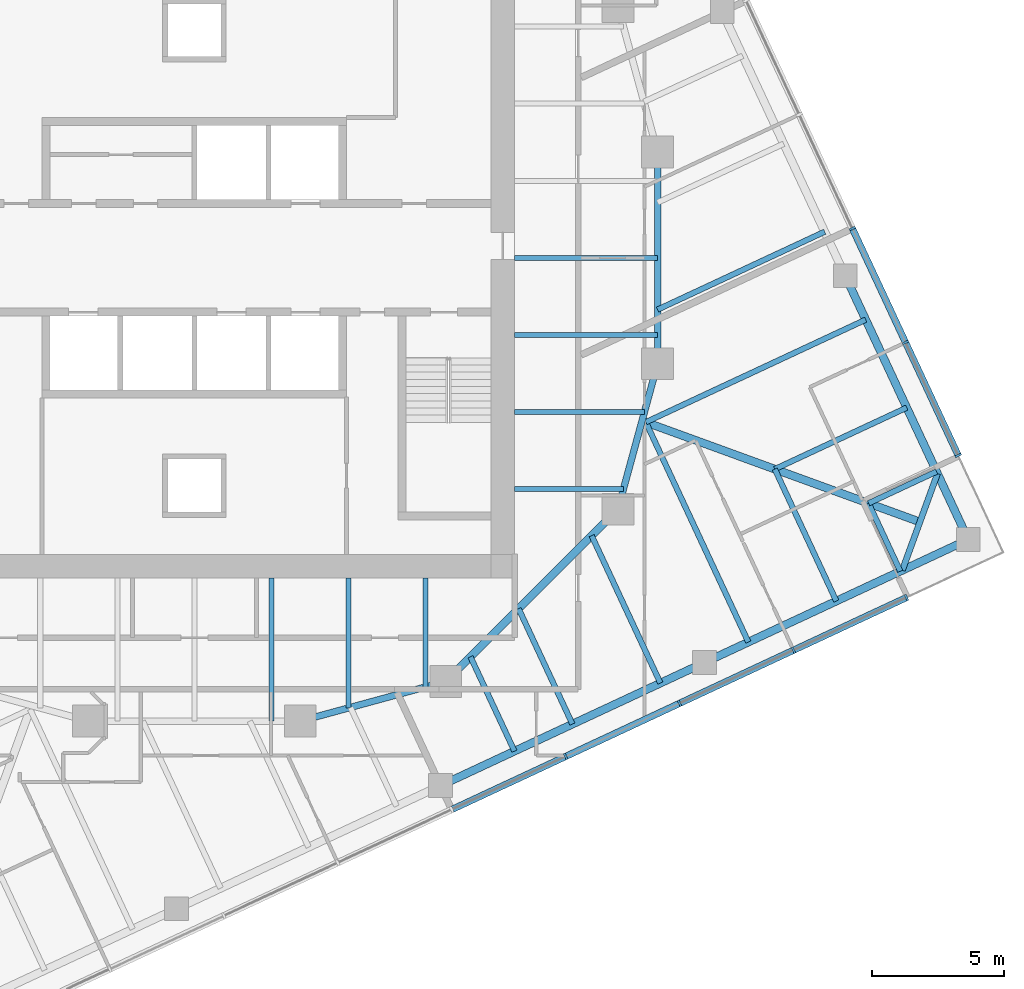
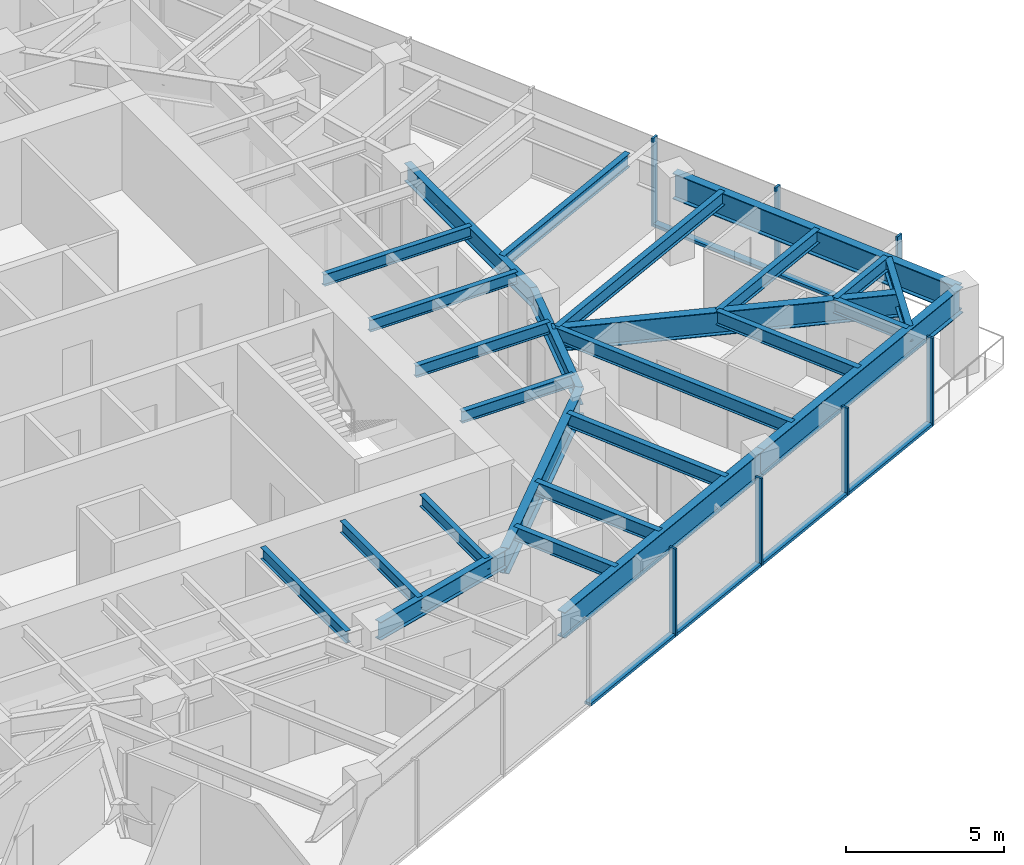
# One storey, part 3 of 13: 26 beams, 13 members, 2 elements without a shape of their own.
"""IFC4 building model written with IfcOpenShell, lengths in metres."""

from ifc_helpers import new_model, si_unit, direction, frame, origin, origin_2d, place, context, subcontext, project, spatial, rectangle, i_section, extrude, material, material_profile, profile_set, type_object, element, aggregate, save


model = new_model("IFC4")

# Units and contexts
model_context = context("Model", 3, precision=1e-05, world=origin(), true_north=direction((0.0, 1.0)))
body_context = subcontext(model_context, "Body", "Model", "MODEL_VIEW")
ifc_project = project(units=[si_unit("LENGTHUNIT", "METRE"), si_unit("AREAUNIT", "SQUARE_METRE"), si_unit("VOLUMEUNIT", "CUBIC_METRE"), si_unit("PLANEANGLEUNIT", "RADIAN"), si_unit("MASSUNIT", "GRAM", prefix="KILO")], contexts=[model_context])

# Site, building, storey
site_placement = place(None, origin())
site = spatial("IfcSite", under=ifc_project, at=site_placement, CompositionType="ELEMENT")
building_placement = place(site_placement, origin())
building = spatial("IfcBuilding", under=site, at=building_placement, Name="Torsade Residences", CompositionType="ELEMENT")
storey_placement = place(building_placement, frame((0.0, 0.0, 176.0)))
storey = spatial("IfcBuildingStorey", under=building, at=storey_placement, Name="L48", CompositionType="ELEMENT", Elevation=176.0)

# Beams
ifc_material_1 = material(Name="Steel grade 300", Category="steel")
ifc_material_profile_1 = material_profile(ifc_material_1, i_section(OverallWidth=0.300048828125, OverallDepth=0.89990234375, WebThickness=0.011962890625, FlangeThickness=0.02490234375, at=origin_2d()), Name="900WB175")
ifc_profile_set_1 = profile_set([ifc_material_profile_1], Name="Steel grade 300")
beam_type_1 = type_object("IfcBeamType", Name="CORNER GIRDER 900WB175", PredefinedType="BEAM", material=ifc_profile_set_1)
beam_1_placement = place(storey_placement, frame((67.4091796875, 20.02392578125, 2.800048828125), z_axis=(-0.93969447651, 0.342015044723, 0.0), x_axis=(-0.342015044723, -0.93969447651, 0.0)))
element("IfcBeam", 1, at=beam_1_placement, inside=storey, type_object=beam_type_1, Name="Corner girder 05 L49", PredefinedType="BEAM", context=body_context, shape_type="SweptSolid", body=[
    extrude(i_section(OverallWidth=0.300048828125, OverallDepth=0.89990234375, WebThickness=0.011962890625, FlangeThickness=0.02490234375, at=origin_2d()), origin(), (0.0, 0.0, 1.0), 11.170654296875),
])
ifc_material_2 = material(Name="Steel grade 300", Category="steel")
ifc_material_profile_2 = material_profile(ifc_material_2, i_section(OverallWidth=0.22802734375, OverallDepth=0.60205078125, WebThickness=0.010498046875, FlangeThickness=0.014892578125, FilletRadius=0.013916015625, at=origin_2d()), Name="610UB101")
ifc_profile_set_2 = profile_set([ifc_material_profile_2], Name="Steel grade 300")
beam_type_2 = type_object("IfcBeamType", Name="CORNER TRIMMER 610UB101", PredefinedType="BEAM", material=ifc_profile_set_2)
beam_2_placement = place(storey_placement, frame((68.07421875, 21.85107421875, 2.948974609375), z_axis=(-0.342005152204, -0.939698076972, 0.0), x_axis=(0.939698076972, -0.342005152204, 0.0)))
element("IfcBeam", 2, at=beam_2_placement, inside=storey, type_object=beam_type_2, Name="Corner trimmer 05 L49", PredefinedType="BEAM", context=body_context, shape_type="SweptSolid", body=[
    extrude(i_section(OverallWidth=0.22802734375, OverallDepth=0.60205078125, WebThickness=0.010498046875, FlangeThickness=0.014892578125, FilletRadius=0.013916015625, at=origin_2d()), origin(), (0.0, 0.0, 1.0), 3.88916015625),
])
ifc_material_3 = material(Name="Steel grade 300", Category="steel")
ifc_material_profile_3 = material_profile(ifc_material_3, i_section(OverallWidth=0.300048828125, OverallDepth=1.0, WebThickness=0.01611328125, FlangeThickness=0.028076171875, at=origin_2d()), Name="1000WB215")
ifc_profile_set_3 = profile_set([ifc_material_profile_3], Name="Steel grade 300")
beam_type_3 = type_object("IfcBeamType", Name="EDGE BEAM 1000WB215", PredefinedType="SPANDREL", material=ifc_profile_set_3)
for number, where, z_axis, x_axis, name in (
    (3, (49.297607421875, 10.061279296875, 2.75), (0.906313510001, 0.422605988587, 0.0), (-0.422605988587, 0.906313510001, 0.0), "Edge beam 03 L49"),
    (4, (59.26708984375, 14.7099609375, 2.75), (0.90630104482, 0.422632720171, 0.0), (-0.422632720171, 0.90630104482, 0.0), "Edge beam 04 L49"),
):
    element("IfcBeam", number, at=place(storey_placement, frame(where, z_axis=z_axis, x_axis=x_axis)), inside=storey, type_object=beam_type_3, Name=name, PredefinedType="SPANDREL", context=body_context, shape_type="SweptSolid", body=[
        extrude(i_section(OverallWidth=0.300048828125, OverallDepth=1.0, WebThickness=0.01611328125, FlangeThickness=0.028076171875, at=origin_2d()), origin(), (0.0, 0.0, 1.0), 11.0),
    ])
beam_3_placement = place(storey_placement, frame((69.236328125, 19.35888671875, 2.75), z_axis=(-0.422614489543, 0.906309546032, 0.0), x_axis=(-0.906309546032, -0.422614489543, 0.0)))
element("IfcBeam", 5, at=beam_3_placement, inside=storey, type_object=beam_type_3, Name="Edge beam 05 L49", PredefinedType="SPANDREL", context=body_context, shape_type="SweptSolid", body=[
    extrude(i_section(OverallWidth=0.300048828125, OverallDepth=1.0, WebThickness=0.01611328125, FlangeThickness=0.028076171875, at=origin_2d()), origin(), (0.0, 0.0, 1.0), 10.999755859375),
])
ifc_material_4 = material(Name="Steel grade 300", Category="steel")
ifc_material_profile_4 = material_profile(ifc_material_4, i_section(OverallWidth=0.18994140625, OverallDepth=0.4541015625, WebThickness=0.008544921875, FlangeThickness=0.0126953125, FilletRadius=0.011474609375, at=origin_2d()), Name="460UB67.1")
ifc_profile_set_4 = profile_set([ifc_material_profile_4], Name="Steel grade 300")
beam_type_4 = type_object("IfcBeamType", Name="INNER FLOOR BEAM 460UB67.1", PredefinedType="JOIST", material=ifc_profile_set_4)
beam_4_placement = place(storey_placement, frame((48.737548828125, 17.89990234375, 3.02294921875), z_axis=(0.0, -1.0, 0.0), x_axis=(1.0, 0.0, 0.0)))
element("IfcBeam", 6, at=beam_4_placement, inside=storey, type_object=beam_type_4, Name="Inner floor beam IS01 L49", PredefinedType="JOIST", context=body_context, shape_type="SweptSolid", body=[
    extrude(i_section(OverallWidth=0.18994140625, OverallDepth=0.4541015625, WebThickness=0.008544921875, FlangeThickness=0.0126953125, FilletRadius=0.011474609375, at=origin_2d()), origin(), (0.0, 0.0, 1.0), 4.10791015625),
])
beam_5_placement = place(storey_placement, frame((45.824951171875, 17.89990234375, 3.02294921875), z_axis=(0.0, -1.0, 0.0), x_axis=(1.0, 0.0, 0.0)))
element("IfcBeam", 7, at=beam_5_placement, inside=storey, type_object=beam_type_4, Name="Inner floor beam IS02 L49", PredefinedType="JOIST", context=body_context, shape_type="SweptSolid", body=[
    extrude(i_section(OverallWidth=0.18994140625, OverallDepth=0.4541015625, WebThickness=0.008544921875, FlangeThickness=0.0126953125, FilletRadius=0.011474609375, at=origin_2d()), origin(), (0.0, 0.0, 1.0), 4.902099609375),
])
beam_6_placement = place(storey_placement, frame((42.91259765625, 17.89990234375, 3.02294921875), z_axis=(0.0, -1.0, 0.0), x_axis=(1.0, 0.0, 0.0)))
element("IfcBeam", 8, at=beam_6_placement, inside=storey, type_object=beam_type_4, Name="Inner floor beam IS03 L49", PredefinedType="JOIST", context=body_context, shape_type="SweptSolid", body=[
    extrude(i_section(OverallWidth=0.18994140625, OverallDepth=0.4541015625, WebThickness=0.008544921875, FlangeThickness=0.0126953125, FilletRadius=0.011474609375, at=origin_2d()), origin(), (0.0, 0.0, 1.0), 5.39990234375),
])
beam_7_placement = place(storey_placement, frame((52.10009765625, 21.262451171875, 3.02294921875), z_axis=(1.0, 0.0, 0.0), x_axis=(0.0, 1.0, 0.0)))
element("IfcBeam", 9, at=beam_7_placement, inside=storey, type_object=beam_type_4, Name="Inner floor beam IE01 L49", PredefinedType="JOIST", context=body_context, shape_type="SweptSolid", body=[
    extrude(i_section(OverallWidth=0.18994140625, OverallDepth=0.4541015625, WebThickness=0.008544921875, FlangeThickness=0.0126953125, FilletRadius=0.011474609375, at=origin_2d()), origin(), (0.0, 0.0, 1.0), 4.10791015625),
])
beam_8_placement = place(storey_placement, frame((52.10009765625, 24.175048828125, 3.02294921875), z_axis=(1.0, 0.0, 0.0), x_axis=(0.0, 1.0, 0.0)))
element("IfcBeam", 10, at=beam_8_placement, inside=storey, type_object=beam_type_4, Name="Inner floor beam IE02 L49", PredefinedType="JOIST", context=body_context, shape_type="SweptSolid", body=[
    extrude(i_section(OverallWidth=0.18994140625, OverallDepth=0.4541015625, WebThickness=0.008544921875, FlangeThickness=0.0126953125, FilletRadius=0.011474609375, at=origin_2d()), origin(), (0.0, 0.0, 1.0), 4.902099609375),
])
for number, where, z_axis, x_axis, name in (
    (11, (52.10009765625, 27.08740234375, 3.02294921875), (1.0, 0.0, 0.0), (0.0, 1.0, 0.0), "Inner floor beam IE03 L49"),
    (12, (52.10009765625, 30.0, 3.02294921875), (1.0, 0.0, 0.0), (0.0, 1.0, 0.0), "Inner floor beam IE04 L49"),
):
    element("IfcBeam", number, at=place(storey_placement, frame(where, z_axis=z_axis, x_axis=x_axis)), inside=storey, type_object=beam_type_4, Name=name, PredefinedType="JOIST", context=body_context, shape_type="SweptSolid", body=[
        extrude(i_section(OverallWidth=0.18994140625, OverallDepth=0.4541015625, WebThickness=0.008544921875, FlangeThickness=0.0126953125, FilletRadius=0.011474609375, at=origin_2d()), origin(), (0.0, 0.0, 1.0), 5.39990234375),
    ])

# Curtain wall, members
ifc_material_5 = material(Name="Aluminium and glass", Category="aluminium")
curtain_wall_type = type_object("IfcCurtainWallType", Name="FRITTED GLASS CURTAIN WALL MID ZONE", PredefinedType="NOTDEFINED", material=ifc_material_5)
curtain_wall_1_placement = place(storey_placement, origin())
curtain_wall_1 = element("IfcCurtainWall", 13, at=curtain_wall_1_placement, inside=storey, type_object=curtain_wall_type, Name="Curtain wall L48 face 1", PredefinedType="NOTDEFINED")
ifc_material_6 = material(Name="Aluminium mullion", Category="aluminium")
ifc_material_profile_5 = material_profile(ifc_material_6, rectangle(XDim=0.25, YDim=0.080078125, at=origin_2d()), Name="MID ZONE CURTAIN WALL MULLION 250x80")
ifc_profile_set_5 = profile_set([ifc_material_profile_5], Name="Aluminium mullion")
member_type_1 = type_object("IfcMemberType", Name="MID ZONE CURTAIN WALL MULLION 250x80", PredefinedType="MULLION", material=ifc_profile_set_5)
member_1_placement = place(storey_placement, frame((54.025146484375, 11.162353515625, 0.0), z_axis=(0.0, 0.0, 1.0), x_axis=(-0.422618261978, 0.906307786926, 0.0)))
member_1 = element("IfcMember", 14, at=member_1_placement, type_object=member_type_1, Name="Mullion 6", PredefinedType="MULLION", context=body_context, shape_type="SweptSolid", body=[
    extrude(rectangle(XDim=0.25, YDim=0.080078125, at=origin_2d()), origin(), (0.0, 0.0, 1.0), 3.39990234375),
])
member_2_placement = place(storey_placement, frame((58.330078125, 13.169677734375, 0.0), z_axis=(0.0, 0.0, 1.0), x_axis=(-0.422618261978, 0.906307786926, 0.0)))
member_2 = element("IfcMember", 15, at=member_2_placement, type_object=member_type_1, Name="Mullion 7", PredefinedType="MULLION", context=body_context, shape_type="SweptSolid", body=[
    extrude(rectangle(XDim=0.25, YDim=0.080078125, at=origin_2d()), origin(), (0.0, 0.0, 1.0), 3.39990234375),
])
member_3_placement = place(storey_placement, frame((62.635009765625, 15.17724609375, 0.0), z_axis=(0.0, 0.0, 1.0), x_axis=(-0.422618261978, 0.906307786926, 0.0)))
member_3 = element("IfcMember", 16, at=member_3_placement, type_object=member_type_1, Name="Mullion 8", PredefinedType="MULLION", context=body_context, shape_type="SweptSolid", body=[
    extrude(rectangle(XDim=0.25, YDim=0.080078125, at=origin_2d()), origin(), (0.0, 0.0, 1.0), 3.39990234375),
])
member_4_placement = place(storey_placement, frame((66.90380859375, 17.167724609375, 0.0), z_axis=(0.0, 0.0, 1.0), x_axis=(-0.422618261978, 0.906307786926, 0.0)))
member_4 = element("IfcMember", 17, at=member_4_placement, type_object=member_type_1, Name="Mullion 9", PredefinedType="MULLION", context=body_context, shape_type="SweptSolid", body=[
    extrude(rectangle(XDim=0.25, YDim=0.080078125, at=origin_2d()), origin(), (0.0, 0.0, 1.0), 3.39990234375),
])

curtain_wall_2_placement = place(storey_placement, origin())
curtain_wall_2 = element("IfcCurtainWall", 18, at=curtain_wall_2_placement, inside=storey, type_object=curtain_wall_type, Name="Curtain wall L48 face 4", PredefinedType="NOTDEFINED")
member_5_placement = place(storey_placement, frame((68.85791015625, 22.53662109375, 0.0), z_axis=(0.0, 0.0, 1.0), x_axis=(-0.906307786926, -0.422618261978, 0.0)))
member_5 = element("IfcMember", 19, at=member_5_placement, type_object=member_type_1, Name="Mullion 1", PredefinedType="MULLION", context=body_context, shape_type="SweptSolid", body=[
    extrude(rectangle(XDim=0.25, YDim=0.080078125, at=origin_2d()), origin(), (0.0, 0.0, 1.0), 3.39990234375),
])
member_6_placement = place(storey_placement, frame((66.867431640625, 26.805419921875, 0.0), z_axis=(0.0, 0.0, 1.0), x_axis=(-0.906307786926, -0.422618261978, 0.0)))
member_6 = element("IfcMember", 20, at=member_6_placement, type_object=member_type_1, Name="Mullion 2", PredefinedType="MULLION", context=body_context, shape_type="SweptSolid", body=[
    extrude(rectangle(XDim=0.25, YDim=0.080078125, at=origin_2d()), origin(), (0.0, 0.0, 1.0), 3.39990234375),
])
member_7_placement = place(storey_placement, frame((64.85986328125, 31.1103515625, 0.0), z_axis=(0.0, 0.0, 1.0), x_axis=(-0.906307786926, -0.422618261978, 0.0)))
member_7 = element("IfcMember", 21, at=member_7_placement, type_object=member_type_1, Name="Mullion 3", PredefinedType="MULLION", context=body_context, shape_type="SweptSolid", body=[
    extrude(rectangle(XDim=0.25, YDim=0.080078125, at=origin_2d()), origin(), (0.0, 0.0, 1.0), 3.39990234375),
])

# Member
ifc_material_7 = material(Name="Aluminium transom", Category="aluminium")
ifc_material_profile_6 = material_profile(ifc_material_7, rectangle(XDim=0.25, YDim=0.110107421875, at=origin_2d()), Name="MID ZONE CURTAIN WALL TRANSOM 250x110")
ifc_profile_set_6 = profile_set([ifc_material_profile_6], Name="Aluminium transom")
member_type_2 = type_object("IfcMemberType", Name="MID ZONE CURTAIN WALL TRANSOM 250x110", PredefinedType="USERDEFINED", material=ifc_profile_set_6)
member_8_placement = place(storey_placement, frame((49.756591796875, 9.171875, 0.054931640625), z_axis=(0.906305976097, 0.422622145291, 0.0), x_axis=(-0.422622145291, 0.906305976097, 0.0)))
member_8 = element("IfcMember", 22, at=member_8_placement, type_object=member_type_2, Name="Transom 5.1", ObjectType="TRANSOM", PredefinedType="USERDEFINED", context=body_context, shape_type="SweptSolid", body=[
    extrude(rectangle(XDim=0.25, YDim=0.110107421875, at=origin_2d()), origin(), (0.0, 0.0, 1.0), 4.669921875),
])

member_9_placement = place(storey_placement, frame((54.0615234375, 11.17919921875, 0.054931640625), z_axis=(0.906305976097, 0.422622145291, 0.0), x_axis=(-0.422622145291, 0.906305976097, 0.0)))
member_9 = element("IfcMember", 23, at=member_9_placement, type_object=member_type_2, Name="Transom 6.1", ObjectType="TRANSOM", PredefinedType="USERDEFINED", context=body_context, shape_type="SweptSolid", body=[
    extrude(rectangle(XDim=0.25, YDim=0.110107421875, at=origin_2d()), origin(), (0.0, 0.0, 1.0), 4.669921875),
])

member_10_placement = place(storey_placement, frame((58.366455078125, 13.186767578125, 0.054931640625), z_axis=(0.906305976097, 0.422622145291, 0.0), x_axis=(-0.422622145291, 0.906305976097, 0.0)))
member_10 = element("IfcMember", 24, at=member_10_placement, type_object=member_type_2, Name="Transom 7.1", ObjectType="TRANSOM", PredefinedType="USERDEFINED", context=body_context, shape_type="SweptSolid", body=[
    extrude(rectangle(XDim=0.25, YDim=0.110107421875, at=origin_2d()), origin(), (0.0, 0.0, 1.0), 4.669921875),
])

member_11_placement = place(storey_placement, frame((62.67138671875, 15.194091796875, 0.054931640625), z_axis=(0.906305687176, 0.422622764878, 0.0), x_axis=(-0.422622764878, 0.906305687176, 0.0)))
member_11 = element("IfcMember", 25, at=member_11_placement, type_object=member_type_2, Name="Transom 8.1", ObjectType="TRANSOM", PredefinedType="USERDEFINED", context=body_context, shape_type="SweptSolid", body=[
    extrude(rectangle(XDim=0.25, YDim=0.110107421875, at=origin_2d()), origin(), (0.0, 0.0, 1.0), 4.630126953125),
])

aggregate(curtain_wall_1, [member_1, member_2, member_3, member_4, member_8, member_9, member_10, member_11])

member_12_placement = place(storey_placement, frame((68.841064453125, 22.572998046875, 0.054931640625), z_axis=(-0.422642962277, 0.906296268578, 0.0), x_axis=(-0.906296268578, -0.422642962277, 0.0)))
member_12 = element("IfcMember", 26, at=member_12_placement, type_object=member_type_2, Name="Transom 1.1", ObjectType="TRANSOM", PredefinedType="USERDEFINED", context=body_context, shape_type="SweptSolid", body=[
    extrude(rectangle(XDim=0.25, YDim=0.110107421875, at=origin_2d()), origin(), (0.0, 0.0, 1.0), 4.6298828125),
])

member_13_placement = place(storey_placement, frame((66.8505859375, 26.841552734375, 0.054931640625), z_axis=(-0.422622145291, 0.906305976097, 0.0), x_axis=(-0.906305976097, -0.422622145291, 0.0)))
member_13 = element("IfcMember", 27, at=member_13_placement, type_object=member_type_2, Name="Transom 2.1", ObjectType="TRANSOM", PredefinedType="USERDEFINED", context=body_context, shape_type="SweptSolid", body=[
    extrude(rectangle(XDim=0.25, YDim=0.110107421875, at=origin_2d()), origin(), (0.0, 0.0, 1.0), 4.669921875),
])

aggregate(curtain_wall_2, [member_5, member_6, member_7, member_12, member_13])

# Beams
ifc_material_8 = material(Name="Steel grade 300", Category="steel")
ifc_material_profile_7 = material_profile(ifc_material_8, i_section(OverallWidth=0.300048828125, OverallDepth=1.0, WebThickness=0.01611328125, FlangeThickness=0.028076171875, at=origin_2d()), Name="1000WB215")
ifc_profile_set_7 = profile_set([ifc_material_profile_7], Name="Steel grade 300")
beam_type_5 = type_object("IfcBeamType", Name="RING CORNER GIRDER 1000WB215", PredefinedType="BEAM", material=ifc_profile_set_7)
beam_9_placement = place(storey_placement, frame((49.5, 14.0, 2.75), z_axis=(0.707106781187, 0.707106781187, 0.0), x_axis=(-0.707106781187, 0.707106781187, 0.0)))
element("IfcBeam", 28, at=beam_9_placement, inside=storey, type_object=beam_type_5, Name="Ring girder IR15 L49", PredefinedType="BEAM", context=body_context, shape_type="SweptSolid", body=[
    extrude(i_section(OverallWidth=0.300048828125, OverallDepth=1.0, WebThickness=0.01611328125, FlangeThickness=0.028076171875, at=origin_2d()), origin(), (0.0, 0.0, 1.0), 9.1923828125),
])
ifc_material_9 = material(Name="Steel grade 300", Category="steel")
ifc_material_profile_8 = material_profile(ifc_material_9, i_section(OverallWidth=0.25, OverallDepth=0.699951171875, WebThickness=0.010009765625, FlangeThickness=0.02001953125, at=origin_2d()), Name="700WB130")
ifc_profile_set_8 = profile_set([ifc_material_profile_8], Name="Steel grade 300")
beam_type_6 = type_object("IfcBeamType", Name="RING GIRDER 700WB130", PredefinedType="BEAM", material=ifc_profile_set_8)
beam_10_placement = place(storey_placement, frame((57.5, 26.0, 2.89990234375), z_axis=(0.0, 1.0, 0.0), x_axis=(-1.0, 0.0, 0.0)))
element("IfcBeam", 29, at=beam_10_placement, inside=storey, type_object=beam_type_6, Name="Ring girder IR01 L49", PredefinedType="BEAM", context=body_context, shape_type="SweptSolid", body=[
    extrude(i_section(OverallWidth=0.25, OverallDepth=0.699951171875, WebThickness=0.010009765625, FlangeThickness=0.02001953125, at=origin_2d()), origin(), (0.0, 0.0, 1.0), 8.0),
])
for number, where, z_axis, x_axis, name in (
    (30, (44.0, 12.5, 2.89990234375), (0.964763821238, 0.263117405792, 0.0), (-0.263117405792, 0.964763821238, 0.0), "Ring girder IR14 L49"),
    (31, (56.0, 20.5, 2.89990234375), (0.263117405792, 0.964763821238, 0.0), (-0.964763821238, 0.263117405792, 0.0), "Ring girder IR16 L49"),
):
    element("IfcBeam", number, at=place(storey_placement, frame(where, z_axis=z_axis, x_axis=x_axis)), inside=storey, type_object=beam_type_6, Name=name, PredefinedType="BEAM", context=body_context, shape_type="SweptSolid", body=[
        extrude(i_section(OverallWidth=0.25, OverallDepth=0.699951171875, WebThickness=0.010009765625, FlangeThickness=0.02001953125, at=origin_2d()), origin(), (0.0, 0.0, 1.0), 5.700927734375),
    ])
ifc_material_10 = material(Name="Steel grade 300", Category="steel")
ifc_material_profile_9 = material_profile(ifc_material_10, i_section(OverallWidth=0.208984375, OverallDepth=0.528076171875, WebThickness=0.009521484375, FlangeThickness=0.01318359375, FilletRadius=0.013916015625, at=origin_2d()), Name="530UB82.0")
ifc_profile_set_9 = profile_set([ifc_material_profile_9], Name="Steel grade 300")
beam_type_7 = type_object("IfcBeamType", Name="SECONDARY BEAM 530UB82.0", PredefinedType="JOIST", material=ifc_profile_set_9)
beam_11_placement = place(storey_placement, frame((52.092041015625, 11.3642578125, 2.986083984375), z_axis=(-0.422644222818, 0.906295680735, 0.0), x_axis=(-0.906295680735, -0.422644222818, 0.0)))
element("IfcBeam", 32, at=beam_11_placement, inside=storey, type_object=beam_type_7, Name="Floor beam FS07 L49", PredefinedType="JOIST", context=body_context, shape_type="SweptSolid", body=[
    extrude(i_section(OverallWidth=0.208984375, OverallDepth=0.528076171875, WebThickness=0.009521484375, FlangeThickness=0.01318359375, FilletRadius=0.013916015625, at=origin_2d()), origin(), (0.0, 0.0, 1.0), 3.933837890625),
])
beam_12_placement = place(storey_placement, frame((54.2822265625, 12.3857421875, 2.986083984375), z_axis=(-0.422618876857, 0.906307500203, 0.0), x_axis=(-0.906307500203, -0.422618876857, 0.0)))
element("IfcBeam", 33, at=beam_12_placement, inside=storey, type_object=beam_type_7, Name="Floor beam FS08 L49", PredefinedType="JOIST", context=body_context, shape_type="SweptSolid", body=[
    extrude(i_section(OverallWidth=0.208984375, OverallDepth=0.528076171875, WebThickness=0.009521484375, FlangeThickness=0.01318359375, FilletRadius=0.013916015625, at=origin_2d()), origin(), (0.0, 0.0, 1.0), 4.813232421875),
])
beam_13_placement = place(storey_placement, frame((57.60546875, 13.935302734375, 2.986083984375), z_axis=(-0.42264848683, 0.906293692233, 0.0), x_axis=(-0.906293692233, -0.42264848683, 0.0)))
element("IfcBeam", 34, at=beam_13_placement, inside=storey, type_object=beam_type_7, Name="Floor beam FS09 L49", PredefinedType="JOIST", context=body_context, shape_type="SweptSolid", body=[
    extrude(i_section(OverallWidth=0.208984375, OverallDepth=0.528076171875, WebThickness=0.009521484375, FlangeThickness=0.01318359375, FilletRadius=0.013916015625, at=origin_2d()), origin(), (0.0, 0.0, 1.0), 6.14794921875),
])
beam_14_placement = place(storey_placement, frame((60.928466796875, 15.48486328125, 2.986083984375), z_axis=(-0.422618627092, 0.90630761667, 0.0), x_axis=(-0.90630761667, -0.422618627092, 0.0)))
element("IfcBeam", 35, at=beam_14_placement, inside=storey, type_object=beam_type_7, Name="Floor beam FS10 L49", PredefinedType="JOIST", context=body_context, shape_type="SweptSolid", body=[
    extrude(i_section(OverallWidth=0.208984375, OverallDepth=0.528076171875, WebThickness=0.009521484375, FlangeThickness=0.01318359375, FilletRadius=0.013916015625, at=origin_2d()), origin(), (0.0, 0.0, 1.0), 9.166748046875),
])
beam_15_placement = place(storey_placement, frame((64.251708984375, 17.034423828125, 2.986083984375), z_axis=(-0.422632720171, 0.90630104482, 0.0), x_axis=(-0.90630104482, -0.422632720171, 0.0)))
element("IfcBeam", 36, at=beam_15_placement, inside=storey, type_object=beam_type_7, Name="Floor beam FS11 L49", PredefinedType="JOIST", context=body_context, shape_type="SweptSolid", body=[
    extrude(i_section(OverallWidth=0.208984375, OverallDepth=0.528076171875, WebThickness=0.009521484375, FlangeThickness=0.01318359375, FilletRadius=0.013916015625, at=origin_2d()), origin(), (0.0, 0.0, 1.0), 5.5),
])
for number, where, z_axis, x_axis, name in (
    (37, (66.66845703125, 18.161376953125, 2.986083984375), (-0.42257409885, 0.906328379221, 0.0), (-0.906328379221, -0.42257409885, 0.0), "Floor beam FS12 L49"),
    (38, (68.0390625, 21.9267578125, 2.986083984375), (-0.906295375613, -0.422644877104, 0.0), (0.422644877104, -0.906295375613, 0.0), "Floor beam FE01 L49"),
):
    element("IfcBeam", number, at=place(storey_placement, frame(where, z_axis=z_axis, x_axis=x_axis)), inside=storey, type_object=beam_type_7, Name=name, PredefinedType="JOIST", context=body_context, shape_type="SweptSolid", body=[
        extrude(i_section(OverallWidth=0.208984375, OverallDepth=0.528076171875, WebThickness=0.009521484375, FlangeThickness=0.01318359375, FilletRadius=0.013916015625, at=origin_2d()), origin(), (0.0, 0.0, 1.0), 2.833251953125),
    ])
beam_16_placement = place(storey_placement, frame((66.911865234375, 24.343505859375, 2.986083984375), z_axis=(-0.90630104482, -0.422632720171, 0.0), x_axis=(0.422632720171, -0.90630104482, 0.0)))
element("IfcBeam", 39, at=beam_16_placement, inside=storey, type_object=beam_type_7, Name="Floor beam FE02 L49", PredefinedType="JOIST", context=body_context, shape_type="SweptSolid", body=[
    extrude(i_section(OverallWidth=0.208984375, OverallDepth=0.528076171875, WebThickness=0.009521484375, FlangeThickness=0.01318359375, FilletRadius=0.013916015625, at=origin_2d()), origin(), (0.0, 0.0, 1.0), 5.5),
])
beam_17_placement = place(storey_placement, frame((65.3623046875, 27.666748046875, 2.986083984375), z_axis=(-0.90630761667, -0.422618627092, 0.0), x_axis=(0.422618627092, -0.90630761667, 0.0)))
element("IfcBeam", 40, at=beam_17_placement, inside=storey, type_object=beam_type_7, Name="Floor beam FE03 L49", PredefinedType="JOIST", context=body_context, shape_type="SweptSolid", body=[
    extrude(i_section(OverallWidth=0.208984375, OverallDepth=0.528076171875, WebThickness=0.009521484375, FlangeThickness=0.01318359375, FilletRadius=0.013916015625, at=origin_2d()), origin(), (0.0, 0.0, 1.0), 9.166748046875),
])
beam_18_placement = place(storey_placement, frame((63.812744140625, 30.98974609375, 2.986083984375), z_axis=(-0.906312044376, -0.422609131726, 0.0), x_axis=(0.422609131726, -0.906312044376, 0.0)))
element("IfcBeam", 41, at=beam_18_placement, inside=storey, type_object=beam_type_7, Name="Floor beam FE04 L49", PredefinedType="JOIST", context=body_context, shape_type="SweptSolid", body=[
    extrude(i_section(OverallWidth=0.208984375, OverallDepth=0.528076171875, WebThickness=0.009521484375, FlangeThickness=0.01318359375, FilletRadius=0.013916015625, at=origin_2d()), origin(), (0.0, 0.0, 1.0), 6.96533203125),
])

save(model, "model.ifc")
